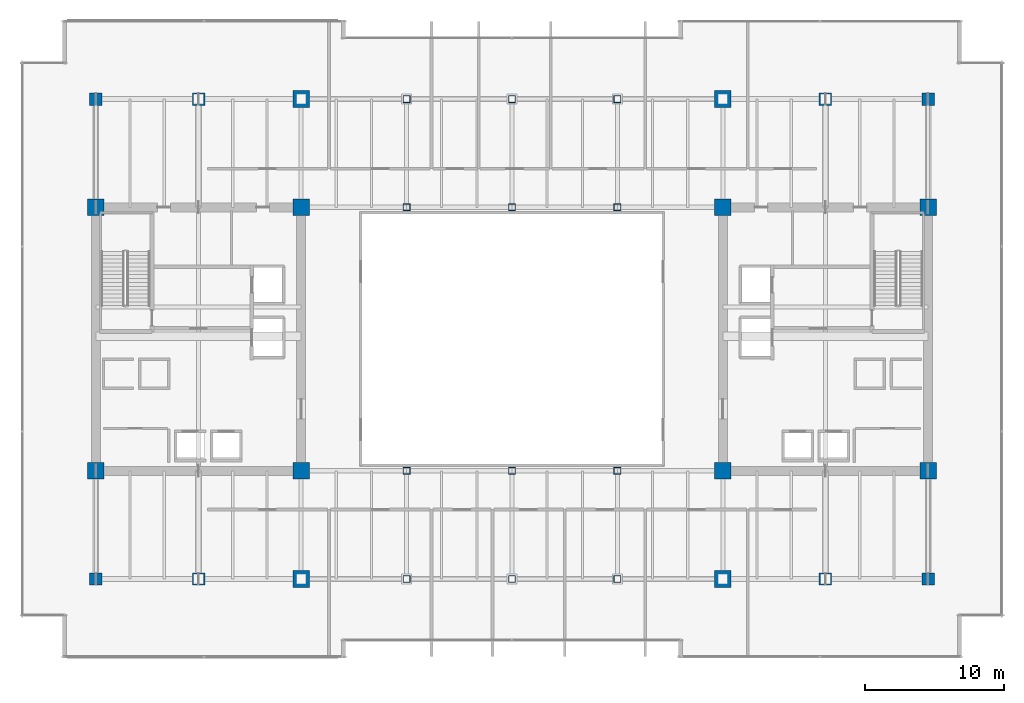
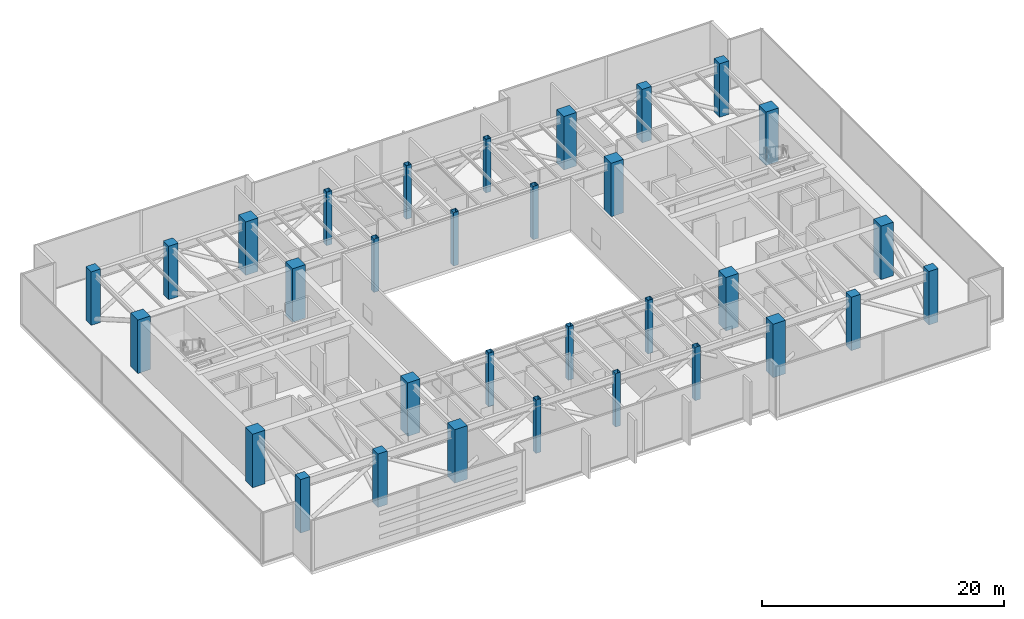
# One storey, part 1 of 34: 32 columns.
"""IFC4 building model written with IfcOpenShell, lengths in metres."""

from ifc_helpers import new_model, si_unit, direction, frame, origin, origin_2d, place, context, subcontext, project, spatial, rectangle, hollow_rectangle, extrude, source, transform, mapped, material, material_profile, profile_set, type_object, type_shapes, element, save


model = new_model("IFC4")

# Units and contexts
model_context = context("Model", 3, precision=1e-05, world=origin(), true_north=direction((0.0, 1.0)))
body_context = subcontext(model_context, "Body", "Model", "MODEL_VIEW")
ifc_project = project(units=[si_unit("LENGTHUNIT", "METRE"), si_unit("AREAUNIT", "SQUARE_METRE"), si_unit("VOLUMEUNIT", "CUBIC_METRE"), si_unit("PLANEANGLEUNIT", "RADIAN"), si_unit("MASSUNIT", "GRAM", prefix="KILO")], contexts=[model_context])

# Site, building, storey
site_placement = place(None, origin())
site = spatial("IfcSite", under=ifc_project, at=site_placement, CompositionType="ELEMENT")
building_placement = place(site_placement, origin())
building = spatial("IfcBuilding", under=site, at=building_placement, Name="Haelvirn Gate Laboratories", CompositionType="ELEMENT")
storey_placement = place(building_placement, frame((0.0, 0.0, 191.199951171875)))
storey = spatial("IfcBuildingStorey", under=building, at=storey_placement, Name="L46", CompositionType="ELEMENT", Elevation=191.199951171875)

# Columns
ifc_material_1 = material(Name="Concrete C50/60", Category="concrete")
ifc_material_profile_1 = material_profile(ifc_material_1, rectangle(XDim=0.89990234375, YDim=0.89990234375, at=origin_2d()), Name="RC-900x900")
ifc_profile_set_1 = profile_set([ifc_material_profile_1], Name="Concrete C50/60")
column_type_1 = type_object("IfcColumnType", Name="COL-RC-900", PredefinedType="COLUMN", material=ifc_profile_set_1)
shared_shape_1 = source(origin(), body_context, "Body", "SweptSolid", [
    extrude(rectangle(XDim=0.89990234375, YDim=0.89990234375, at=origin_2d()), origin(), (0.0, 0.0, 1.0), 5.400146484375),
])
type_shapes(column_type_1, [shared_shape_1])
for number, where, z_axis, x_axis, name in (
    (1, (14.800048828125, 7.0, 0.0), (0.0, 0.0, 1.0), (1.0, 0.0, 0.0), "L46 Column 3B"),
    (2, (14.800048828125, 41.60009765625, 0.0), (0.0, 0.0, 1.0), (1.0, 0.0, 0.0), "L46 Column 3G"),
    (3, (60.0, 7.0, 0.0), (0.0, 0.0, 1.0), (1.0, 0.0, 0.0), "L46 Column 9B"),
    (4, (60.0, 41.60009765625, 0.0), (0.0, 0.0, 1.0), (1.0, 0.0, 0.0), "L46 Column 9G"),
    (5, (7.39990234375, 7.0, 0.0), (0.0, 0.0, 1.0), (1.0, 0.0, 0.0), "L46 Column 2B"),
    (6, (7.39990234375, 41.60009765625, 0.0), (0.0, 0.0, 1.0), (1.0, 0.0, 0.0), "L46 Column 2G"),
    (7, (67.39990234375, 7.0, 0.0), (0.0, 0.0, 1.0), (1.0, 0.0, 0.0), "L46 Column 10B"),
    (8, (67.39990234375, 41.60009765625, 0.0), (0.0, 0.0, 1.0), (1.0, 0.0, 0.0), "L46 Column 10G"),
):
    element("IfcColumn", number, at=place(storey_placement, frame(where, z_axis=z_axis, x_axis=x_axis)), inside=storey, type_object=column_type_1, Name=name, PredefinedType="COLUMN", context=body_context, shape_type="MappedRepresentation", body=[
        mapped(shared_shape_1, transform((0.0, 0.0, 0.0), scale=1.0)),
    ])
ifc_material_2 = material(Name="Concrete C60/75", Category="concrete")
ifc_material_profile_2 = material_profile(ifc_material_2, rectangle(XDim=1.199951171875, YDim=1.199951171875, at=origin_2d()), Name="SRC-1200x1200")
ifc_profile_set_2 = profile_set([ifc_material_profile_2], Name="Concrete C60/75")
column_type_2 = type_object("IfcColumnType", Name="COL-SRC-1200", PredefinedType="COLUMN", material=ifc_profile_set_2)
shared_shape_2 = source(origin(), body_context, "Body", "SweptSolid", [
    extrude(rectangle(XDim=1.199951171875, YDim=1.199951171875, at=origin_2d()), origin(), (0.0, 0.0, 1.0), 5.400146484375),
])
type_shapes(column_type_2, [shared_shape_2])
for number, where, z_axis, x_axis, name in (
    (9, (22.199951171875, 7.0, 0.0), (0.0, 0.0, 1.0), (1.0, 0.0, 0.0), "L46 Column 4B"),
    (10, (7.39990234375, 14.800048828125, 0.0), (0.0, 0.0, 1.0), (1.0, 0.0, 0.0), "L46 Column 2C"),
    (11, (22.199951171875, 14.800048828125, 0.0), (0.0, 0.0, 1.0), (1.0, 0.0, 0.0), "L46 Column 4C"),
    (12, (7.39990234375, 33.800048828125, 0.0), (0.0, 0.0, 1.0), (1.0, 0.0, 0.0), "L46 Column 2F"),
    (13, (22.199951171875, 33.800048828125, 0.0), (0.0, 0.0, 1.0), (1.0, 0.0, 0.0), "L46 Column 4F"),
    (14, (22.199951171875, 41.60009765625, 0.0), (0.0, 0.0, 1.0), (1.0, 0.0, 0.0), "L46 Column 4G"),
    (15, (52.60009765625, 7.0, 0.0), (0.0, 0.0, 1.0), (1.0, 0.0, 0.0), "L46 Column 8B"),
    (16, (52.60009765625, 14.800048828125, 0.0), (0.0, 0.0, 1.0), (1.0, 0.0, 0.0), "L46 Column 8C"),
    (17, (67.39990234375, 14.800048828125, 0.0), (0.0, 0.0, 1.0), (1.0, 0.0, 0.0), "L46 Column 10C"),
    (18, (52.60009765625, 33.800048828125, 0.0), (0.0, 0.0, 1.0), (1.0, 0.0, 0.0), "L46 Column 8F"),
    (19, (67.39990234375, 33.800048828125, 0.0), (0.0, 0.0, 1.0), (1.0, 0.0, 0.0), "L46 Column 10F"),
    (20, (52.60009765625, 41.60009765625, 0.0), (0.0, 0.0, 1.0), (1.0, 0.0, 0.0), "L46 Column 8G"),
):
    element("IfcColumn", number, at=place(storey_placement, frame(where, z_axis=z_axis, x_axis=x_axis)), inside=storey, type_object=column_type_2, Name=name, PredefinedType="COLUMN", context=body_context, shape_type="MappedRepresentation", body=[
        mapped(shared_shape_2, transform((0.0, 0.0, 0.0), scale=1.0)),
    ])
ifc_material_3 = material(Name="Steel SM355", Category="steel")
ifc_material_profile_3 = material_profile(ifc_material_3, hollow_rectangle(XDim=0.5, YDim=0.5, WallThickness=0.02197265625, at=origin_2d()), Name="BOX-500x500x22")
ifc_profile_set_3 = profile_set([ifc_material_profile_3], Name="Steel SM355")
column_type_3 = type_object("IfcColumnType", Name="COL-BOX-500", PredefinedType="COLUMN", material=ifc_profile_set_3)
shared_shape_3 = source(origin(), body_context, "Body", "SweptSolid", [
    extrude(hollow_rectangle(XDim=0.5, YDim=0.5, WallThickness=0.02197265625, at=origin_2d()), origin(), (0.0, 0.0, 1.0), 5.400146484375),
])
type_shapes(column_type_3, [shared_shape_3])
for number, where, z_axis, x_axis, name in (
    (21, (29.800048828125, 7.0, 0.0), (0.0, 0.0, 1.0), (1.0, 0.0, 0.0), "L46 Column 5B"),
    (22, (29.800048828125, 14.800048828125, 0.0), (0.0, 0.0, 1.0), (1.0, 0.0, 0.0), "L46 Column 5C"),
    (23, (29.800048828125, 33.800048828125, 0.0), (0.0, 0.0, 1.0), (1.0, 0.0, 0.0), "L46 Column 5F"),
    (24, (29.800048828125, 41.60009765625, 0.0), (0.0, 0.0, 1.0), (1.0, 0.0, 0.0), "L46 Column 5G"),
    (25, (37.39990234375, 7.0, 0.0), (0.0, 0.0, 1.0), (1.0, 0.0, 0.0), "L46 Column 6B"),
    (26, (37.39990234375, 14.800048828125, 0.0), (0.0, 0.0, 1.0), (1.0, 0.0, 0.0), "L46 Column 6C"),
    (27, (37.39990234375, 33.800048828125, 0.0), (0.0, 0.0, 1.0), (1.0, 0.0, 0.0), "L46 Column 6F"),
    (28, (37.39990234375, 41.60009765625, 0.0), (0.0, 0.0, 1.0), (1.0, 0.0, 0.0), "L46 Column 6G"),
    (29, (45.0, 7.0, 0.0), (0.0, 0.0, 1.0), (1.0, 0.0, 0.0), "L46 Column 7B"),
    (30, (45.0, 14.800048828125, 0.0), (0.0, 0.0, 1.0), (1.0, 0.0, 0.0), "L46 Column 7C"),
    (31, (45.0, 33.800048828125, 0.0), (0.0, 0.0, 1.0), (1.0, 0.0, 0.0), "L46 Column 7F"),
    (32, (45.0, 41.60009765625, 0.0), (0.0, 0.0, 1.0), (1.0, 0.0, 0.0), "L46 Column 7G"),
):
    element("IfcColumn", number, at=place(storey_placement, frame(where, z_axis=z_axis, x_axis=x_axis)), inside=storey, type_object=column_type_3, Name=name, PredefinedType="COLUMN", context=body_context, shape_type="MappedRepresentation", body=[
        mapped(shared_shape_3, transform((0.0, 0.0, 0.0), scale=1.0)),
    ])

save(model, "model.ifc")
